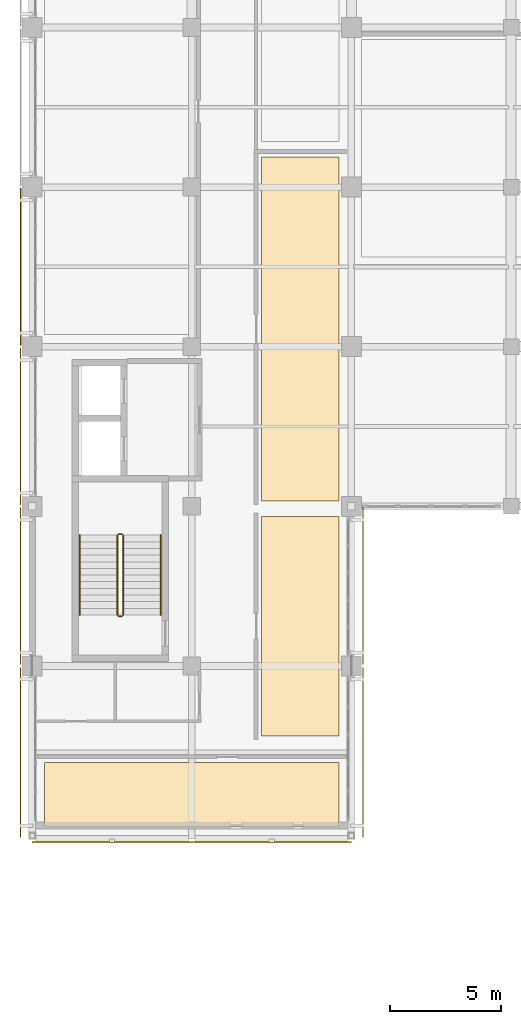
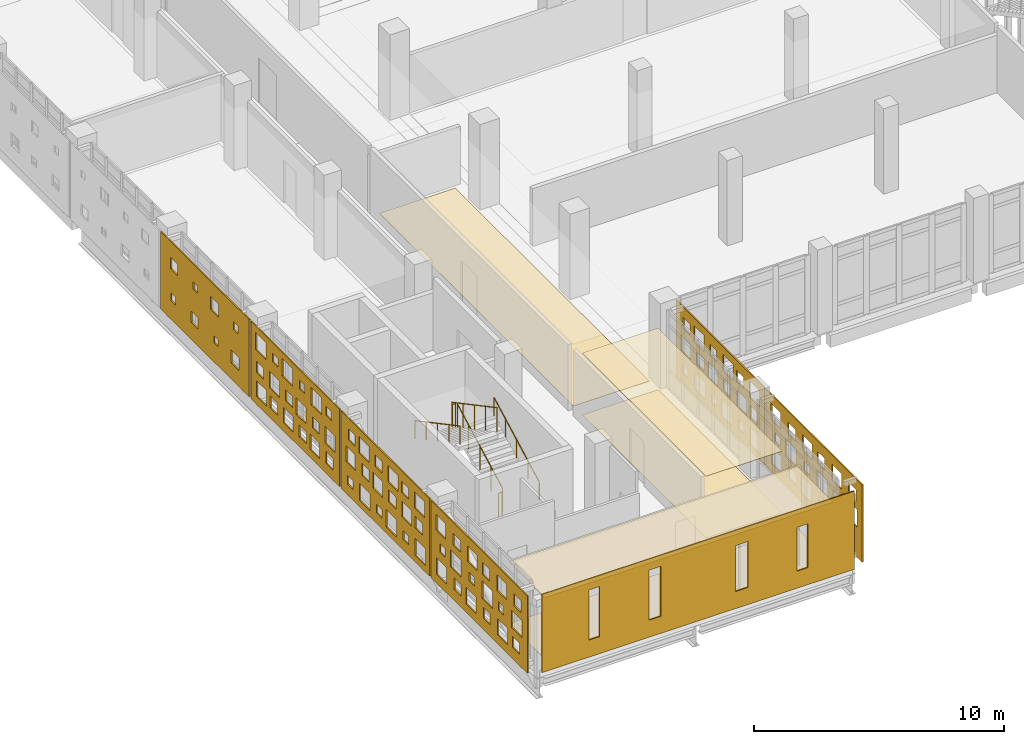
# One storey, part 47 of 57: 12 coverings, 6 railings.
"""IFC4 building model written with IfcOpenShell, lengths in metres."""

from ifc_helpers import new_model, si_unit, direction, frame, origin, origin_2d, place, context, subcontext, project, spatial, polyline, circle, outline, extrude, material, layer, layer_set, type_object, element, save


model = new_model("IFC4")

# Units and contexts
model_context = context("Model", 3, precision=1e-05, world=origin(), true_north=direction((0.0, 1.0)))
body_context = subcontext(model_context, "Body", "Model", "MODEL_VIEW")
ifc_project = project(units=[si_unit("LENGTHUNIT", "METRE"), si_unit("AREAUNIT", "SQUARE_METRE"), si_unit("VOLUMEUNIT", "CUBIC_METRE"), si_unit("PLANEANGLEUNIT", "RADIAN"), si_unit("MASSUNIT", "GRAM", prefix="KILO")], contexts=[model_context])

# Site, building, storey
site_placement = place(None, origin())
site = spatial("IfcSite", under=ifc_project, at=site_placement, CompositionType="ELEMENT")
building_placement = place(site_placement, origin())
building = spatial("IfcBuilding", under=site, at=building_placement, Name="Valkovuoma Quantum and Materials Research Institute", CompositionType="ELEMENT")
storey_placement = place(building_placement, frame((0.0, 0.0, 4.800048828125)))
storey = spatial("IfcBuildingStorey", under=building, at=storey_placement, Name="L01", CompositionType="ELEMENT", Elevation=4.800048828125)

# Coverings
ifc_material_1 = material(Name="Cleanable acoustic mineral-fibre suspended ceiling", Category="masonry")
ifc_layer_1 = layer(ifc_material_1, 0.02490234375)
ifc_layer_set_1 = layer_set([ifc_layer_1], Name="Cleanable acoustic mineral-fibre suspended ceiling")
covering_type_1 = type_object("IfcCoveringType", Name="Cov-CEIL-01", PredefinedType="CEILING", material=ifc_layer_set_1)
covering_1_placement = place(storey_placement, frame((0.0, 0.0, 3.0)))
element("IfcCovering", 1, at=covering_1_placement, inside=storey, type_object=covering_type_1, Name="L01 acoustic ceiling 0025", PredefinedType="CEILING", context=body_context, shape_type="SweptSolid", body=[
    extrude(outline(polyline([(0.550048828125, 21.550048828125), (13.85009765625, 21.550048828125), (13.85009765625, 24.449951171875), (0.550048828125, 24.449951171875), (0.550048828125, 21.550048828125)])), origin(), (0.0, 0.0, 1.0), 0.02490234375),
])
covering_2_placement = place(storey_placement, frame((0.0, 0.0, 3.0)))
element("IfcCovering", 2, at=covering_2_placement, inside=storey, type_object=covering_type_1, Name="L01 acoustic ceiling 0029", PredefinedType="CEILING", context=body_context, shape_type="SweptSolid", body=[
    extrude(outline(polyline([(10.35009765625, 25.64990234375), (13.85009765625, 25.64990234375), (13.85009765625, 35.550048828125), (10.35009765625, 35.550048828125), (10.35009765625, 25.64990234375)])), origin(), (0.0, 0.0, 1.0), 0.02490234375),
])
ifc_material_2 = material(Name="Seamless dissipative laboratory resin flooring", Category="masonry")
ifc_layer_2 = layer(ifc_material_2, 0.014892578125)
ifc_layer_set_2 = layer_set([ifc_layer_2], Name="Seamless dissipative laboratory resin flooring")
covering_type_2 = type_object("IfcCoveringType", Name="Cov-FLOR-01", PredefinedType="FLOORING", material=ifc_layer_set_2)
covering_3_placement = place(storey_placement, origin())
element("IfcCovering", 3, at=covering_3_placement, inside=storey, type_object=covering_type_2, Name="L01 resin flooring 0025", PredefinedType="FLOORING", context=body_context, shape_type="SweptSolid", body=[
    extrude(outline(polyline([(0.550048828125, 21.550048828125), (13.85009765625, 21.550048828125), (13.85009765625, 24.449951171875), (0.550048828125, 24.449951171875), (0.550048828125, 21.550048828125)])), origin(), (0.0, 0.0, 1.0), 0.014892578125),
])
covering_4_placement = place(storey_placement, origin())
element("IfcCovering", 4, at=covering_4_placement, inside=storey, type_object=covering_type_2, Name="L01 resin flooring 0029", PredefinedType="FLOORING", context=body_context, shape_type="SweptSolid", body=[
    extrude(outline(polyline([(10.35009765625, 25.64990234375), (13.85009765625, 25.64990234375), (13.85009765625, 35.550048828125), (10.35009765625, 35.550048828125), (10.35009765625, 25.64990234375)])), origin(), (0.0, 0.0, 1.0), 0.014892578125),
])
covering_5_placement = place(storey_placement, origin())
element("IfcCovering", 5, at=covering_5_placement, inside=storey, type_object=covering_type_2, Name="L01 resin flooring 0030", PredefinedType="FLOORING", context=body_context, shape_type="SweptSolid", body=[
    extrude(outline(polyline([(10.35009765625, 36.25), (13.85009765625, 36.25), (13.85009765625, 51.75), (10.35009765625, 51.75), (10.35009765625, 36.25)])), origin(), (0.0, 0.0, 1.0), 0.014892578125),
])
ifc_material_3 = material(Name="White powder-coated aluminium architectural panel", Category="aluminium")
ifc_layer_3 = layer(ifc_material_3, 0.054931640625)
ifc_layer_set_3 = layer_set([ifc_layer_3], Name="White powder-coated aluminium architectural panel")
covering_type_3 = type_object("IfcCoveringType", Name="Cov-PERF-DENSE", PredefinedType="CLADDING", material=ifc_layer_set_3)
covering_6_placement = place(storey_placement, frame((-0.52001953125, 21.06005859375, 0.02001953125), z_axis=(0.0, 0.0, 1.0), x_axis=(0.0, 1.0, 0.0)))
element("IfcCovering", 6, at=covering_6_placement, inside=storey, type_object=covering_type_3, Name="L01 graduated perforated white screen W-0001", PredefinedType="CLADDING", context=body_context, shape_type="SweptSolid", body=[
    extrude(outline(polyline([(0.0, 0.0), (7.679931640625, 0.0), (7.679931640625, 3.77001953125), (0.0, 3.77001953125), (0.0, 0.0)]), holes=[polyline([(0.63818359375, 0.554931640625), (0.63818359375, 1.094970703125), (1.17822265625, 1.094970703125), (1.17822265625, 0.554931640625), (0.63818359375, 0.554931640625)]), polyline([(0.42822265625, 1.465087890625), (0.42822265625, 2.304931640625), (1.268310546875, 2.304931640625), (1.268310546875, 1.465087890625), (0.42822265625, 1.465087890625)]), polyline([(0.498291015625, 2.655029296875), (0.498291015625, 3.235107421875), (1.078369140625, 3.235107421875), (1.078369140625, 2.655029296875), (0.498291015625, 2.655029296875)]), polyline([(1.5849609375, 0.425048828125), (1.5849609375, 1.22509765625), (2.385009765625, 1.22509765625), (2.385009765625, 0.425048828125), (1.5849609375, 0.425048828125)]), polyline([(1.89501953125, 1.675048828125), (1.89501953125, 2.094970703125), (2.31494140625, 2.094970703125), (2.31494140625, 1.675048828125), (1.89501953125, 1.675048828125)]), polyline([(1.6650390625, 2.56494140625), (1.6650390625, 3.324951171875), (2.425048828125, 3.324951171875), (2.425048828125, 2.56494140625), (1.6650390625, 2.56494140625)]), polyline([(2.9716796875, 0.554931640625), (2.9716796875, 1.094970703125), (3.51171875, 1.094970703125), (3.51171875, 0.554931640625), (2.9716796875, 0.554931640625)]), polyline([(2.76171875, 1.465087890625), (2.76171875, 2.304931640625), (3.601806640625, 2.304931640625), (3.601806640625, 1.465087890625), (2.76171875, 1.465087890625)]), polyline([(3.01171875, 2.655029296875), (3.01171875, 3.235107421875), (3.591796875, 3.235107421875), (3.591796875, 2.655029296875), (3.01171875, 2.655029296875)]), polyline([(4.098388671875, 0.425048828125), (4.098388671875, 1.22509765625), (4.898193359375, 1.22509765625), (4.898193359375, 0.425048828125), (4.098388671875, 0.425048828125)]), polyline([(4.228271484375, 1.675048828125), (4.228271484375, 2.094970703125), (4.648193359375, 2.094970703125), (4.648193359375, 1.675048828125), (4.228271484375, 1.675048828125)]), polyline([(3.998291015625, 2.56494140625), (3.998291015625, 3.324951171875), (4.75830078125, 3.324951171875), (4.75830078125, 2.56494140625), (3.998291015625, 2.56494140625)]), polyline([(5.304931640625, 0.554931640625), (5.304931640625, 1.094970703125), (5.844970703125, 1.094970703125), (5.844970703125, 0.554931640625), (5.304931640625, 0.554931640625)]), polyline([(5.27490234375, 1.465087890625), (5.27490234375, 2.304931640625), (6.114990234375, 2.304931640625), (6.114990234375, 1.465087890625), (5.27490234375, 1.465087890625)]), polyline([(5.344970703125, 2.655029296875), (5.344970703125, 3.235107421875), (5.925048828125, 3.235107421875), (5.925048828125, 2.655029296875), (5.344970703125, 2.655029296875)]), polyline([(6.431640625, 0.425048828125), (6.431640625, 1.22509765625), (7.231689453125, 1.22509765625), (7.231689453125, 0.425048828125), (6.431640625, 0.425048828125)]), polyline([(6.561767578125, 1.675048828125), (6.561767578125, 2.094970703125), (6.981689453125, 2.094970703125), (6.981689453125, 1.675048828125), (6.561767578125, 1.675048828125)]), polyline([(6.51171875, 2.56494140625), (6.51171875, 3.324951171875), (7.271728515625, 3.324951171875), (7.271728515625, 2.56494140625), (6.51171875, 2.56494140625)])]), frame((0.0, 0.02734375, 0.0), z_axis=(0.0, -1.0, 0.0), x_axis=(1.0, 0.0, 0.0)), (0.0, 0.0, 1.0), 0.054931640625),
])
covering_7_placement = place(storey_placement, frame((14.919921875, 21.06005859375, 0.02001953125), z_axis=(0.0, 0.0, 1.0), x_axis=(0.0, 1.0, 0.0)))
element("IfcCovering", 7, at=covering_7_placement, inside=storey, type_object=covering_type_3, Name="L01 graduated perforated white screen E-0002", PredefinedType="CLADDING", context=body_context, shape_type="SweptSolid", body=[
    extrude(outline(polyline([(0.0, 0.0), (7.679931640625, 0.0), (7.679931640625, 3.77001953125), (0.0, 3.77001953125), (0.0, 0.0)]), holes=[polyline([(0.63818359375, 0.554931640625), (0.63818359375, 1.094970703125), (1.17822265625, 1.094970703125), (1.17822265625, 0.554931640625), (0.63818359375, 0.554931640625)]), polyline([(0.42822265625, 1.465087890625), (0.42822265625, 2.304931640625), (1.268310546875, 2.304931640625), (1.268310546875, 1.465087890625), (0.42822265625, 1.465087890625)]), polyline([(0.498291015625, 2.655029296875), (0.498291015625, 3.235107421875), (1.078369140625, 3.235107421875), (1.078369140625, 2.655029296875), (0.498291015625, 2.655029296875)]), polyline([(1.5849609375, 0.425048828125), (1.5849609375, 1.22509765625), (2.385009765625, 1.22509765625), (2.385009765625, 0.425048828125), (1.5849609375, 0.425048828125)]), polyline([(1.89501953125, 1.675048828125), (1.89501953125, 2.094970703125), (2.31494140625, 2.094970703125), (2.31494140625, 1.675048828125), (1.89501953125, 1.675048828125)]), polyline([(1.6650390625, 2.56494140625), (1.6650390625, 3.324951171875), (2.425048828125, 3.324951171875), (2.425048828125, 2.56494140625), (1.6650390625, 2.56494140625)]), polyline([(2.9716796875, 0.554931640625), (2.9716796875, 1.094970703125), (3.51171875, 1.094970703125), (3.51171875, 0.554931640625), (2.9716796875, 0.554931640625)]), polyline([(2.76171875, 1.465087890625), (2.76171875, 2.304931640625), (3.601806640625, 2.304931640625), (3.601806640625, 1.465087890625), (2.76171875, 1.465087890625)]), polyline([(3.01171875, 2.655029296875), (3.01171875, 3.235107421875), (3.591796875, 3.235107421875), (3.591796875, 2.655029296875), (3.01171875, 2.655029296875)]), polyline([(4.098388671875, 0.425048828125), (4.098388671875, 1.22509765625), (4.898193359375, 1.22509765625), (4.898193359375, 0.425048828125), (4.098388671875, 0.425048828125)]), polyline([(4.228271484375, 1.675048828125), (4.228271484375, 2.094970703125), (4.648193359375, 2.094970703125), (4.648193359375, 1.675048828125), (4.228271484375, 1.675048828125)]), polyline([(3.998291015625, 2.56494140625), (3.998291015625, 3.324951171875), (4.75830078125, 3.324951171875), (4.75830078125, 2.56494140625), (3.998291015625, 2.56494140625)]), polyline([(5.304931640625, 0.554931640625), (5.304931640625, 1.094970703125), (5.844970703125, 1.094970703125), (5.844970703125, 0.554931640625), (5.304931640625, 0.554931640625)]), polyline([(5.27490234375, 1.465087890625), (5.27490234375, 2.304931640625), (6.114990234375, 2.304931640625), (6.114990234375, 1.465087890625), (5.27490234375, 1.465087890625)]), polyline([(5.344970703125, 2.655029296875), (5.344970703125, 3.235107421875), (5.925048828125, 3.235107421875), (5.925048828125, 2.655029296875), (5.344970703125, 2.655029296875)]), polyline([(6.431640625, 0.425048828125), (6.431640625, 1.22509765625), (7.231689453125, 1.22509765625), (7.231689453125, 0.425048828125), (6.431640625, 0.425048828125)]), polyline([(6.561767578125, 1.675048828125), (6.561767578125, 2.094970703125), (6.981689453125, 2.094970703125), (6.981689453125, 1.675048828125), (6.561767578125, 1.675048828125)]), polyline([(6.51171875, 2.56494140625), (6.51171875, 3.324951171875), (7.271728515625, 3.324951171875), (7.271728515625, 2.56494140625), (6.51171875, 2.56494140625)])]), frame((0.0, 0.02734375, 0.0), z_axis=(0.0, -1.0, 0.0), x_axis=(1.0, 0.0, 0.0)), (0.0, 0.0, 1.0), 0.054931640625),
])
covering_8_placement = place(storey_placement, frame((-0.52001953125, 28.860107421875, 0.02001953125), z_axis=(0.0, 0.0, 1.0), x_axis=(0.0, 1.0, 0.0)))
element("IfcCovering", 8, at=covering_8_placement, inside=storey, type_object=covering_type_3, Name="L01 graduated perforated white screen W-0003", PredefinedType="CLADDING", context=body_context, shape_type="SweptSolid", body=[
    extrude(outline(polyline([(0.0, 0.0), (7.079833984375, 0.0), (7.079833984375, 3.77001953125), (0.0, 3.77001953125), (0.0, 0.0)]), holes=[polyline([(0.318359375, 0.304931640625), (0.318359375, 1.14501953125), (1.158203125, 1.14501953125), (1.158203125, 0.304931640625), (0.318359375, 0.304931640625)]), polyline([(0.568359375, 1.64501953125), (0.568359375, 2.22509765625), (1.148193359375, 2.22509765625), (1.148193359375, 1.64501953125), (0.568359375, 1.64501953125)]), polyline([(0.398193359375, 2.594970703125), (0.398193359375, 3.39501953125), (1.1982421875, 3.39501953125), (1.1982421875, 2.594970703125), (0.398193359375, 2.594970703125)]), polyline([(1.68505859375, 0.514892578125), (1.68505859375, 0.93505859375), (2.10498046875, 0.93505859375), (2.10498046875, 0.514892578125), (1.68505859375, 0.514892578125)]), polyline([(1.455078125, 1.554931640625), (1.455078125, 2.31494140625), (2.215087890625, 2.31494140625), (2.215087890625, 1.554931640625), (1.455078125, 1.554931640625)]), polyline([(1.68505859375, 2.72509765625), (1.68505859375, 3.264892578125), (2.22509765625, 3.264892578125), (2.22509765625, 2.72509765625), (1.68505859375, 2.72509765625)]), polyline([(2.631591796875, 0.304931640625), (2.631591796875, 1.14501953125), (3.4716796875, 1.14501953125), (3.4716796875, 0.304931640625), (2.631591796875, 0.304931640625)]), polyline([(2.70166015625, 1.64501953125), (2.70166015625, 2.22509765625), (3.28173828125, 2.22509765625), (3.28173828125, 1.64501953125), (2.70166015625, 1.64501953125)]), polyline([(2.53173828125, 2.594970703125), (2.53173828125, 3.39501953125), (3.331787109375, 3.39501953125), (3.331787109375, 2.594970703125), (2.53173828125, 2.594970703125)]), polyline([(3.818359375, 0.514892578125), (3.818359375, 0.93505859375), (4.23828125, 0.93505859375), (4.23828125, 0.514892578125), (3.818359375, 0.514892578125)]), polyline([(3.768310546875, 1.554931640625), (3.768310546875, 2.31494140625), (4.5283203125, 2.31494140625), (4.5283203125, 1.554931640625), (3.768310546875, 1.554931640625)]), polyline([(3.818359375, 2.72509765625), (3.818359375, 3.264892578125), (4.3583984375, 3.264892578125), (4.3583984375, 2.72509765625), (3.818359375, 2.72509765625)]), polyline([(4.764892578125, 0.304931640625), (4.764892578125, 1.14501953125), (5.60498046875, 1.14501953125), (5.60498046875, 0.304931640625), (4.764892578125, 0.304931640625)]), polyline([(4.8349609375, 1.64501953125), (4.8349609375, 2.22509765625), (5.4150390625, 2.22509765625), (5.4150390625, 1.64501953125), (4.8349609375, 1.64501953125)]), polyline([(4.844970703125, 2.594970703125), (4.844970703125, 3.39501953125), (5.64501953125, 3.39501953125), (5.64501953125, 2.594970703125), (4.844970703125, 2.594970703125)]), polyline([(6.131591796875, 0.514892578125), (6.131591796875, 0.93505859375), (6.5517578125, 0.93505859375), (6.5517578125, 0.514892578125), (6.131591796875, 0.514892578125)]), polyline([(5.901611328125, 1.554931640625), (5.901611328125, 2.31494140625), (6.66162109375, 2.31494140625), (6.66162109375, 1.554931640625), (5.901611328125, 1.554931640625)]), polyline([(5.95166015625, 2.72509765625), (5.95166015625, 3.264892578125), (6.49169921875, 3.264892578125), (6.49169921875, 2.72509765625), (5.95166015625, 2.72509765625)])]), frame((0.0, 0.02734375, 0.0), z_axis=(0.0, -1.0, 0.0), x_axis=(1.0, 0.0, 0.0)), (0.0, 0.0, 1.0), 0.054931640625),
])
covering_9_placement = place(storey_placement, frame((14.919921875, 28.860107421875, 0.02001953125), z_axis=(0.0, 0.0, 1.0), x_axis=(0.0, 1.0, 0.0)))
element("IfcCovering", 9, at=covering_9_placement, inside=storey, type_object=covering_type_3, Name="L01 graduated perforated white screen E-0004", PredefinedType="CLADDING", context=body_context, shape_type="SweptSolid", body=[
    extrude(outline(polyline([(0.0, 0.0), (7.079833984375, 0.0), (7.079833984375, 3.77001953125), (0.0, 3.77001953125), (0.0, 0.0)]), holes=[polyline([(0.318359375, 0.304931640625), (0.318359375, 1.14501953125), (1.158203125, 1.14501953125), (1.158203125, 0.304931640625), (0.318359375, 0.304931640625)]), polyline([(0.568359375, 1.64501953125), (0.568359375, 2.22509765625), (1.148193359375, 2.22509765625), (1.148193359375, 1.64501953125), (0.568359375, 1.64501953125)]), polyline([(0.398193359375, 2.594970703125), (0.398193359375, 3.39501953125), (1.1982421875, 3.39501953125), (1.1982421875, 2.594970703125), (0.398193359375, 2.594970703125)]), polyline([(1.68505859375, 0.514892578125), (1.68505859375, 0.93505859375), (2.10498046875, 0.93505859375), (2.10498046875, 0.514892578125), (1.68505859375, 0.514892578125)]), polyline([(1.455078125, 1.554931640625), (1.455078125, 2.31494140625), (2.215087890625, 2.31494140625), (2.215087890625, 1.554931640625), (1.455078125, 1.554931640625)]), polyline([(1.68505859375, 2.72509765625), (1.68505859375, 3.264892578125), (2.22509765625, 3.264892578125), (2.22509765625, 2.72509765625), (1.68505859375, 2.72509765625)]), polyline([(2.631591796875, 0.304931640625), (2.631591796875, 1.14501953125), (3.4716796875, 1.14501953125), (3.4716796875, 0.304931640625), (2.631591796875, 0.304931640625)]), polyline([(2.70166015625, 1.64501953125), (2.70166015625, 2.22509765625), (3.28173828125, 2.22509765625), (3.28173828125, 1.64501953125), (2.70166015625, 1.64501953125)]), polyline([(2.53173828125, 2.594970703125), (2.53173828125, 3.39501953125), (3.331787109375, 3.39501953125), (3.331787109375, 2.594970703125), (2.53173828125, 2.594970703125)]), polyline([(3.818359375, 0.514892578125), (3.818359375, 0.93505859375), (4.23828125, 0.93505859375), (4.23828125, 0.514892578125), (3.818359375, 0.514892578125)]), polyline([(3.768310546875, 1.554931640625), (3.768310546875, 2.31494140625), (4.5283203125, 2.31494140625), (4.5283203125, 1.554931640625), (3.768310546875, 1.554931640625)]), polyline([(3.818359375, 2.72509765625), (3.818359375, 3.264892578125), (4.3583984375, 3.264892578125), (4.3583984375, 2.72509765625), (3.818359375, 2.72509765625)]), polyline([(4.764892578125, 0.304931640625), (4.764892578125, 1.14501953125), (5.60498046875, 1.14501953125), (5.60498046875, 0.304931640625), (4.764892578125, 0.304931640625)]), polyline([(4.8349609375, 1.64501953125), (4.8349609375, 2.22509765625), (5.4150390625, 2.22509765625), (5.4150390625, 1.64501953125), (4.8349609375, 1.64501953125)]), polyline([(4.844970703125, 2.594970703125), (4.844970703125, 3.39501953125), (5.64501953125, 3.39501953125), (5.64501953125, 2.594970703125), (4.844970703125, 2.594970703125)]), polyline([(6.131591796875, 0.514892578125), (6.131591796875, 0.93505859375), (6.5517578125, 0.93505859375), (6.5517578125, 0.514892578125), (6.131591796875, 0.514892578125)]), polyline([(5.901611328125, 1.554931640625), (5.901611328125, 2.31494140625), (6.66162109375, 2.31494140625), (6.66162109375, 1.554931640625), (5.901611328125, 1.554931640625)]), polyline([(5.95166015625, 2.72509765625), (5.95166015625, 3.264892578125), (6.49169921875, 3.264892578125), (6.49169921875, 2.72509765625), (5.95166015625, 2.72509765625)])]), frame((0.0, 0.02734375, 0.0), z_axis=(0.0, -1.0, 0.0), x_axis=(1.0, 0.0, 0.0)), (0.0, 0.0, 1.0), 0.054931640625),
])
covering_10_placement = place(storey_placement, frame((-0.52001953125, 36.06005859375, 0.02001953125), z_axis=(0.0, 0.0, 1.0), x_axis=(0.0, 1.0, 0.0)))
element("IfcCovering", 10, at=covering_10_placement, inside=storey, type_object=covering_type_3, Name="L01 graduated perforated white screen W-0005", PredefinedType="CLADDING", context=body_context, shape_type="SweptSolid", body=[
    extrude(outline(polyline([(0.0, 0.0), (7.079833984375, 0.0), (7.079833984375, 3.77001953125), (0.0, 3.77001953125), (0.0, 0.0)]), holes=[polyline([(0.50830078125, 0.485107421875), (0.50830078125, 1.06494140625), (1.08837890625, 1.06494140625), (1.08837890625, 0.485107421875), (0.50830078125, 0.485107421875)]), polyline([(0.33837890625, 1.43505859375), (0.33837890625, 2.235107421875), (1.13818359375, 2.235107421875), (1.13818359375, 1.43505859375), (0.33837890625, 1.43505859375)]), polyline([(0.648193359375, 2.8349609375), (0.648193359375, 3.2548828125), (1.068359375, 3.2548828125), (1.068359375, 2.8349609375), (0.648193359375, 2.8349609375)]), polyline([(1.574951171875, 0.39501953125), (1.574951171875, 1.155029296875), (2.3349609375, 1.155029296875), (2.3349609375, 0.39501953125), (1.574951171875, 0.39501953125)]), polyline([(1.625, 1.56494140625), (1.625, 2.10498046875), (2.1650390625, 2.10498046875), (2.1650390625, 1.56494140625), (1.625, 1.56494140625)]), polyline([(1.4150390625, 2.625), (1.4150390625, 3.465087890625), (2.2548828125, 3.465087890625), (2.2548828125, 2.625), (1.4150390625, 2.625)]), polyline([(2.6416015625, 0.485107421875), (2.6416015625, 1.06494140625), (3.2216796875, 1.06494140625), (3.2216796875, 0.485107421875), (2.6416015625, 0.485107421875)]), polyline([(2.651611328125, 1.43505859375), (2.651611328125, 2.235107421875), (3.45166015625, 2.235107421875), (3.45166015625, 1.43505859375), (2.651611328125, 1.43505859375)]), polyline([(2.78173828125, 2.8349609375), (2.78173828125, 3.2548828125), (3.20166015625, 3.2548828125), (3.20166015625, 2.8349609375), (2.78173828125, 2.8349609375)]), polyline([(3.708251953125, 0.39501953125), (3.708251953125, 1.155029296875), (4.46826171875, 1.155029296875), (4.46826171875, 0.39501953125), (3.708251953125, 0.39501953125)]), polyline([(3.75830078125, 1.56494140625), (3.75830078125, 2.10498046875), (4.29833984375, 2.10498046875), (4.29833984375, 1.56494140625), (3.75830078125, 1.56494140625)]), polyline([(3.728271484375, 2.625), (3.728271484375, 3.465087890625), (4.568359375, 3.465087890625), (4.568359375, 2.625), (3.728271484375, 2.625)]), polyline([(4.955078125, 0.485107421875), (4.955078125, 1.06494140625), (5.534912109375, 1.06494140625), (5.534912109375, 0.485107421875), (4.955078125, 0.485107421875)]), polyline([(4.784912109375, 1.43505859375), (4.784912109375, 2.235107421875), (5.5849609375, 2.235107421875), (5.5849609375, 1.43505859375), (4.784912109375, 1.43505859375)]), polyline([(4.9150390625, 2.8349609375), (4.9150390625, 3.2548828125), (5.3349609375, 3.2548828125), (5.3349609375, 2.8349609375), (4.9150390625, 2.8349609375)]), polyline([(5.841796875, 0.39501953125), (5.841796875, 1.155029296875), (6.601806640625, 1.155029296875), (6.601806640625, 0.39501953125), (5.841796875, 0.39501953125)]), polyline([(6.07177734375, 1.56494140625), (6.07177734375, 2.10498046875), (6.61181640625, 2.10498046875), (6.61181640625, 1.56494140625), (6.07177734375, 1.56494140625)]), polyline([(5.86181640625, 2.625), (5.86181640625, 3.465087890625), (6.70166015625, 3.465087890625), (6.70166015625, 2.625), (5.86181640625, 2.625)])]), frame((0.0, 0.02734375, 0.0), z_axis=(0.0, -1.0, 0.0), x_axis=(1.0, 0.0, 0.0)), (0.0, 0.0, 1.0), 0.054931640625),
])
ifc_material_4 = material(Name="White powder-coated aluminium architectural panel", Category="aluminium")
ifc_layer_4 = layer(ifc_material_4, 0.054931640625)
ifc_layer_set_4 = layer_set([ifc_layer_4], Name="White powder-coated aluminium architectural panel")
covering_type_4 = type_object("IfcCoveringType", Name="Cov-PERF-MID", PredefinedType="CLADDING", material=ifc_layer_set_4)
covering_11_placement = place(storey_placement, frame((-0.52001953125, 43.260009765625, 0.02001953125), z_axis=(0.0, 0.0, 1.0), x_axis=(0.0, 1.0, 0.0)))
element("IfcCovering", 11, at=covering_11_placement, inside=storey, type_object=covering_type_4, Name="L01 graduated perforated white screen W-0006", PredefinedType="CLADDING", context=body_context, shape_type="SweptSolid", body=[
    extrude(outline(polyline([(0.0, 0.0), (7.080078125, 0.0), (7.080078125, 3.77001953125), (0.0, 3.77001953125), (0.0, 0.0)]), holes=[polyline([(0.822509765625, 0.79248046875), (0.822509765625, 1.41259765625), (1.4423828125, 1.41259765625), (1.4423828125, 0.79248046875), (0.822509765625, 0.79248046875)]), polyline([(0.882568359375, 2.527587890625), (0.882568359375, 2.907470703125), (1.262451171875, 2.907470703125), (1.262451171875, 2.527587890625), (0.882568359375, 2.527587890625)]), polyline([(2.487548828125, 0.9326171875), (2.487548828125, 1.2724609375), (2.827392578125, 1.2724609375), (2.827392578125, 0.9326171875), (2.487548828125, 0.9326171875)]), polyline([(2.467529296875, 2.407470703125), (2.467529296875, 3.027587890625), (3.08740234375, 3.027587890625), (3.08740234375, 2.407470703125), (2.467529296875, 2.407470703125)]), polyline([(4.092529296875, 0.83251953125), (4.092529296875, 1.37255859375), (4.632568359375, 1.37255859375), (4.632568359375, 0.83251953125), (4.092529296875, 0.83251953125)]), polyline([(4.132568359375, 2.547607421875), (4.132568359375, 2.887451171875), (4.472412109375, 2.887451171875), (4.472412109375, 2.547607421875), (4.132568359375, 2.547607421875)]), polyline([(5.87744140625, 0.91259765625), (5.87744140625, 1.29248046875), (6.257568359375, 1.29248046875), (6.257568359375, 0.91259765625), (5.87744140625, 0.91259765625)]), polyline([(5.737548828125, 2.447509765625), (5.737548828125, 2.987548828125), (6.277587890625, 2.987548828125), (6.277587890625, 2.447509765625), (5.737548828125, 2.447509765625)])]), frame((0.0, 0.02734375, 0.0), z_axis=(0.0, -1.0, 0.0), x_axis=(1.0, 0.0, 0.0)), (0.0, 0.0, 1.0), 0.054931640625),
])
ifc_material_5 = material(Name="White powder-coated aluminium architectural panel", Category="aluminium")
ifc_layer_5 = layer(ifc_material_5, 0.054931640625)
ifc_layer_set_5 = layer_set([ifc_layer_5], Name="White powder-coated aluminium architectural panel")
covering_type_5 = type_object("IfcCoveringType", Name="Cov-WHITE-01", PredefinedType="CLADDING", material=ifc_layer_set_5)
covering_12_placement = place(storey_placement, frame((0.0, 20.85009765625, 0.0), z_axis=(0.0, 0.0, 1.0), x_axis=(1.0, 0.0, 0.0)))
element("IfcCovering", 12, at=covering_12_placement, inside=storey, type_object=covering_type_5, Name="L01 south white slot-window end skin", PredefinedType="CLADDING", context=body_context, shape_type="SweptSolid", body=[
    extrude(outline(polyline([(0.0, 0.0), (14.39990234375, 0.0), (14.39990234375, 3.81005859375), (0.0, 3.81005859375), (0.0, 0.0)]), holes=[polyline([(2.155029296875, 0.830078125), (2.155029296875, 3.27001953125), (2.64501953125, 3.27001953125), (2.64501953125, 0.830078125), (2.155029296875, 0.830078125)]), polyline([(4.929931640625, 0.830078125), (4.929931640625, 3.27001953125), (5.469970703125, 3.27001953125), (5.469970703125, 0.830078125), (4.929931640625, 0.830078125)]), polyline([(8.905029296875, 0.830078125), (8.905029296875, 3.070068359375), (9.4951171875, 3.070068359375), (9.4951171875, 0.830078125), (8.905029296875, 0.830078125)]), polyline([(11.7548828125, 0.830078125), (11.7548828125, 2.969970703125), (12.2451171875, 2.969970703125), (12.2451171875, 0.830078125), (11.7548828125, 0.830078125)])]), frame((0.0, 0.02734375, 0.0), z_axis=(0.0, -1.0, 0.0), x_axis=(1.0, 0.0, 0.0)), (0.0, 0.0, 1.0), 0.054931640625),
])

# Railings
ifc_material_6 = material(Name="Painted steel stair balustrade", Category="steel")
railing_type_1 = type_object("IfcRailingType", Name="Rail-GRD-ST", PredefinedType="BALUSTRADE", material=ifc_material_6)
railing_1_placement = place(storey_placement, frame((4.10009765625, 31.10009765625, 0.159912109375)))
element("IfcRailing", 13, at=railing_1_placement, inside=storey, type_object=railing_type_1, Name="L01 ST-1 stair guard 1", PredefinedType="BALUSTRADE", context=body_context, shape_type="SweptSolid", body=[
    extrude(circle(Radius=0.02392578125, at=origin_2d()), frame((0.0, 0.0, 1.17578125), z_axis=(0.0, 0.882352941176, 0.470588235294), x_axis=(-1.0, 0.0, 0.0)), (0.0, 0.0, 1.0), 4.079833984375),
    extrude(circle(Radius=0.02099609375, at=origin_2d()), origin(), (0.0, 0.0, 1.0), 1.15185546875),
    extrude(circle(Radius=0.02099609375, at=origin_2d()), frame((0.0, 0.89990234375, 0.47998046875)), (0.0, 0.0, 1.0), 1.15185546875),
    extrude(circle(Radius=0.02099609375, at=origin_2d()), frame((0.0, 1.7998046875, 0.9599609375)), (0.0, 0.0, 1.0), 1.15185546875),
    extrude(circle(Radius=0.02099609375, at=origin_2d()), frame((0.0, 2.699951171875, 1.43994140625)), (0.0, 0.0, 1.0), 1.15185546875),
    extrude(circle(Radius=0.02099609375, at=origin_2d()), frame((0.0, 3.599853515625, 1.919921875)), (0.0, 0.0, 1.0), 1.15185546875),
])
railing_2_placement = place(storey_placement, frame((4.050048828125, 34.75, 2.079833984375)))
element("IfcRailing", 14, at=railing_2_placement, inside=storey, type_object=railing_type_1, Name="L01 ST-1 stair guard 2", PredefinedType="BALUSTRADE", context=body_context, shape_type="SweptSolid", body=[
    extrude(circle(Radius=0.02392578125, at=origin_2d()), frame((0.0, 0.0, 1.17578125), z_axis=(-1.0, 0.0, 0.0), x_axis=(0.0, -1.0, 0.0)), (0.0, 0.0, 1.0), 0.150146484375),
    extrude(circle(Radius=0.02099609375, at=origin_2d()), origin(), (0.0, 0.0, 1.0), 1.15185546875),
    extrude(circle(Radius=0.02099609375, at=origin_2d()), frame((-0.150146484375, 0.0, 0.0)), (0.0, 0.0, 1.0), 1.15185546875),
])
railing_3_placement = place(storey_placement, frame((3.85009765625, 34.699951171875, 2.239990234375)))
element("IfcRailing", 15, at=railing_3_placement, inside=storey, type_object=railing_type_1, Name="L01 ST-1 stair guard 3", PredefinedType="BALUSTRADE", context=body_context, shape_type="SweptSolid", body=[
    extrude(circle(Radius=0.02392578125, at=origin_2d()), frame((0.0, 0.0, 1.17578125), z_axis=(0.0, -0.882352941176, 0.470588235294), x_axis=(1.0, 0.0, 0.0)), (0.0, 0.0, 1.0), 4.079833984375),
    extrude(circle(Radius=0.02099609375, at=origin_2d()), origin(), (0.0, 0.0, 1.0), 1.15185546875),
    extrude(circle(Radius=0.02099609375, at=origin_2d()), frame((0.0, -0.89990234375, 0.47998046875)), (0.0, 0.0, 1.0), 1.15185546875),
    extrude(circle(Radius=0.02099609375, at=origin_2d()), frame((0.0, -1.7998046875, 0.9599609375)), (0.0, 0.0, 1.0), 1.15185546875),
    extrude(circle(Radius=0.02099609375, at=origin_2d()), frame((0.0, -2.699951171875, 1.43994140625)), (0.0, 0.0, 1.0), 1.15185546875),
    extrude(circle(Radius=0.02099609375, at=origin_2d()), frame((0.0, -3.599853515625, 1.919921875)), (0.0, 0.0, 1.0), 1.15185546875),
])
railing_4_placement = place(storey_placement, frame((4.050048828125, 31.050048828125, 0.0)))
element("IfcRailing", 16, at=railing_4_placement, inside=storey, type_object=railing_type_1, Name="L01 ST-1 stair guard 4", PredefinedType="BALUSTRADE", context=body_context, shape_type="SweptSolid", body=[
    extrude(circle(Radius=0.02392578125, at=origin_2d()), frame((0.0, 0.0, 1.17578125), z_axis=(-1.0, 0.0, 0.0), x_axis=(0.0, -1.0, 0.0)), (0.0, 0.0, 1.0), 0.150146484375),
    extrude(circle(Radius=0.02099609375, at=origin_2d()), origin(), (0.0, 0.0, 1.0), 1.15185546875),
    extrude(circle(Radius=0.02099609375, at=origin_2d()), frame((-0.150146484375, 0.0, 0.0)), (0.0, 0.0, 1.0), 1.15185546875),
])
ifc_material_7 = material(Name="Brushed stainless steel handrail", Category="steel")
railing_type_2 = type_object("IfcRailingType", Name="Rail-HR-ST", PredefinedType="HANDRAIL", material=ifc_material_7)
railing_5_placement = place(storey_placement, frame((5.800048828125, 31.10009765625, 0.159912109375)))
element("IfcRailing", 17, at=railing_5_placement, inside=storey, type_object=railing_type_2, Name="L01 ST-1 stair handrail 1", PredefinedType="HANDRAIL", context=body_context, shape_type="SweptSolid", body=[
    extrude(circle(Radius=0.02392578125, at=origin_2d()), frame((0.0, 0.0, 0.8759765625), z_axis=(0.0, 0.882352941176, 0.470588235294), x_axis=(-1.0, 0.0, 0.0)), (0.0, 0.0, 1.0), 4.079833984375),
    extrude(circle(Radius=0.02099609375, at=origin_2d()), origin(), (0.0, 0.0, 1.0), 0.851806640625),
    extrude(circle(Radius=0.02099609375, at=origin_2d()), frame((0.0, 0.89990234375, 0.47998046875)), (0.0, 0.0, 1.0), 0.851806640625),
    extrude(circle(Radius=0.02099609375, at=origin_2d()), frame((0.0, 1.7998046875, 0.9599609375)), (0.0, 0.0, 1.0), 0.851806640625),
    extrude(circle(Radius=0.02099609375, at=origin_2d()), frame((0.0, 2.699951171875, 1.43994140625)), (0.0, 0.0, 1.0), 0.851806640625),
    extrude(circle(Radius=0.02099609375, at=origin_2d()), frame((0.0, 3.599853515625, 1.919921875)), (0.0, 0.0, 1.0), 0.851806640625),
])
railing_6_placement = place(storey_placement, frame((2.14990234375, 34.699951171875, 2.239990234375)))
element("IfcRailing", 18, at=railing_6_placement, inside=storey, type_object=railing_type_2, Name="L01 ST-1 stair handrail 2", PredefinedType="HANDRAIL", context=body_context, shape_type="SweptSolid", body=[
    extrude(circle(Radius=0.02392578125, at=origin_2d()), frame((0.0, 0.0, 0.8759765625), z_axis=(0.0, -0.882352941176, 0.470588235294), x_axis=(1.0, 0.0, 0.0)), (0.0, 0.0, 1.0), 4.079833984375),
    extrude(circle(Radius=0.02099609375, at=origin_2d()), origin(), (0.0, 0.0, 1.0), 0.851806640625),
    extrude(circle(Radius=0.02099609375, at=origin_2d()), frame((0.0, -0.89990234375, 0.47998046875)), (0.0, 0.0, 1.0), 0.851806640625),
    extrude(circle(Radius=0.02099609375, at=origin_2d()), frame((0.0, -1.7998046875, 0.9599609375)), (0.0, 0.0, 1.0), 0.851806640625),
    extrude(circle(Radius=0.02099609375, at=origin_2d()), frame((0.0, -2.699951171875, 1.43994140625)), (0.0, 0.0, 1.0), 0.851806640625),
    extrude(circle(Radius=0.02099609375, at=origin_2d()), frame((0.0, -3.599853515625, 1.919921875)), (0.0, 0.0, 1.0), 0.851806640625),
])

save(model, "model.ifc")
